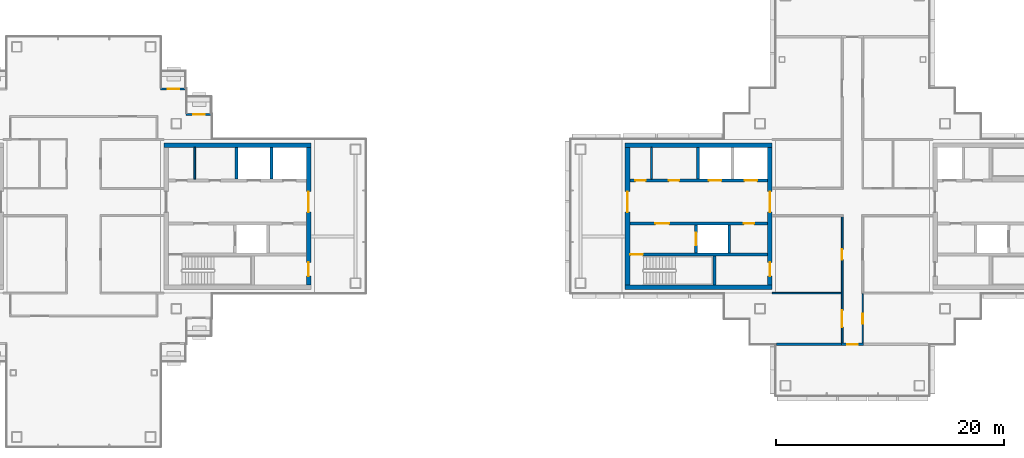
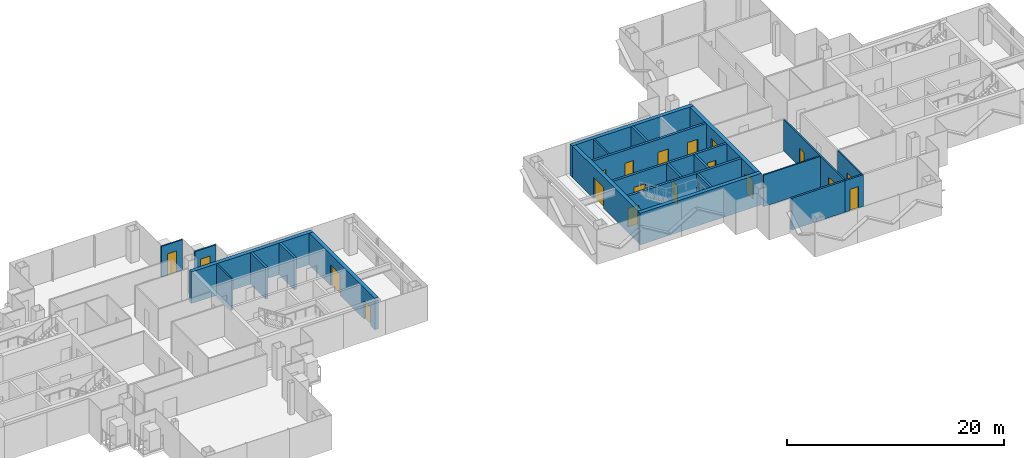
# One storey, part 11 of 17: 24 walls, 19 doors, 19 openings.
"""IFC4 building model written with IfcOpenShell, lengths in metres."""

import ifcopenshell
import ifcopenshell.guid

model = None  # the IFC model being written
_history = None  # IfcOwnerHistory: only IFC2X3 demands one
_inside = {}  # id of a spatial element -> (the spatial element, [elements in it])
_under = {}  # id of a project, library or spatial element -> (it, [spatial elements below it])
_declared = {}  # id of a project -> (the project, [libraries it declares])
_typed = {}  # id of a type object -> (the type object, [elements of that type])
_made_of = {}  # id of a material, layer set ... -> (it, [elements and type objects made of it])


def new_model(schema):
    """Start an empty IFC model of exactly this schema.

    Asked for "IFC4X3", IfcOpenShell would pick the latest addendum, in which some entities
    have other attributes; the version numbers below select the first issue.
    IFC2X3 requires an IfcOwnerHistory on every rooted entity: one is made here for all.
    """
    global model, _history
    if schema == "IFC4X3":
        model = ifcopenshell.file(schema_version=(4, 3, 0, 0))
    else:
        model = ifcopenshell.file(schema=schema)
    _inside.clear()
    _under.clear()
    _declared.clear()
    _typed.clear()
    _made_of.clear()
    _history = None
    if model.schema == "IFC2X3":
        org = make("IfcOrganization", Name="unknown")
        user = make(
            "IfcPersonAndOrganization",
            ThePerson=make("IfcPerson", FamilyName="unknown"),
            TheOrganization=org,
        )
        app = make(
            "IfcApplication",
            ApplicationDeveloper=org,
            Version="unknown",
            ApplicationFullName="unknown",
            ApplicationIdentifier="unknown",
        )
        _history = make(
            "IfcOwnerHistory",
            OwningUser=user,
            OwningApplication=app,
            ChangeAction="ADDED",
            CreationDate=0,
        )
    return model


def make(cls, **values):
    """One entity of the class cls with the attributes given. An attribute that is None is left unset."""
    return model.create_entity(
        cls, **{name: value for name, value in values.items() if value is not None}
    )


def rooted(cls, **values):
    """An entity with a GlobalId (a new one), such as an element, a storey or a relation."""
    return make(cls, GlobalId=ifcopenshell.guid.new(), OwnerHistory=_history, **values)


def si_unit(unit_type, name, prefix=None):
    """IfcSIUnit, for example si_unit("LENGTHUNIT", "METRE", prefix="MILLI")."""
    return make("IfcSIUnit", UnitType=unit_type, Prefix=prefix, Name=name)


def assignment(units):
    """IfcUnitAssignment: the units of a project."""
    return None if units is None else make("IfcUnitAssignment", Units=units)


def point(xyz):
    """IfcCartesianPoint."""
    return None if xyz is None else make("IfcCartesianPoint", Coordinates=xyz)


def direction(xyz):
    """IfcDirection."""
    return None if xyz is None else make("IfcDirection", DirectionRatios=xyz)


def frame(location, z_axis=None, x_axis=None):
    """IfcAxis2Placement3D, a coordinate frame: its origin and axes. An axis left out is left unset."""
    return make(
        "IfcAxis2Placement3D",
        Location=point(location),
        Axis=direction(z_axis),
        RefDirection=direction(x_axis),
    )


def frame_2d(location, x_axis=None):
    """IfcAxis2Placement2D, a coordinate frame in the plane: its origin and x axis."""
    return make(
        "IfcAxis2Placement2D", Location=point(location), RefDirection=direction(x_axis)
    )


def origin():
    """The frame at (0, 0, 0) with its axes left unset."""
    return frame((0.0, 0.0, 0.0))


def place(relative_to, where):
    """IfcLocalPlacement: puts the frame where relative to a parent placement (None: the world)."""
    return make(
        "IfcLocalPlacement", PlacementRelTo=relative_to, RelativePlacement=where
    )


def context(
    kind, dimensions, precision=None, world=None, true_north=None, identifier=None
):
    """IfcGeometricRepresentationContext, for example the 3D "Model" context."""
    return make(
        "IfcGeometricRepresentationContext",
        ContextIdentifier=identifier,
        ContextType=kind,
        CoordinateSpaceDimension=dimensions,
        Precision=precision,
        WorldCoordinateSystem=world,
        TrueNorth=true_north,
    )


def subcontext(parent, identifier, kind, view, scale=None):
    """IfcGeometricRepresentationSubContext, for example "Body" below "Model"."""
    return make(
        "IfcGeometricRepresentationSubContext",
        ContextIdentifier=identifier,
        ContextType=kind,
        ParentContext=parent,
        TargetScale=scale,
        TargetView=view,
    )


def project(units=None, contexts=None):
    """IfcProject with its units and contexts."""
    return rooted(
        "IfcProject",
        Name="project",
        RepresentationContexts=contexts,
        UnitsInContext=assignment(units),
    )


def spatial(cls, under=None, at=None, **own):
    """A site, building, storey or space (cls), placed at a placement, below another one or the project."""
    s = rooted(cls, ObjectPlacement=at, **own)
    if under is not None:
        _under.setdefault(under.id(), (under, []))[1].append(s)
    return s


def profile(cls, at=None, kind="AREA", **sizes):
    """A parametric profile (cls). Its sizes go by their IFC names, for example OverallWidth=200.0."""
    return make(cls, ProfileType=kind, Position=at, **sizes)


def rectangle(**sizes):
    """IfcRectangleProfileDef."""
    return profile("IfcRectangleProfileDef", **sizes)


def extrude(swept, where, along, depth):
    """IfcExtrudedAreaSolid: the profile swept, set in the frame where, extruded along a direction by depth."""
    return make(
        "IfcExtrudedAreaSolid",
        SweptArea=swept,
        Position=where,
        ExtrudedDirection=direction(along),
        Depth=depth,
    )


def shape(context_of_items, identifier, shape_type, items):
    """IfcShapeRepresentation: the items that make up one representation, for example the "Body"."""
    return make(
        "IfcShapeRepresentation",
        ContextOfItems=context_of_items,
        RepresentationIdentifier=identifier,
        RepresentationType=shape_type,
        Items=items,
    )


def material(Name=None, Category=None):
    """IfcMaterial."""
    return make("IfcMaterial", Name=Name, Category=Category)


def layer(
    of_material, thickness, ventilated=None, Name=None, Category=None, Priority=None
):
    """IfcMaterialLayer: one layer of a wall or slab, of a material (None: an air gap)."""
    return make(
        "IfcMaterialLayer",
        Material=of_material,
        LayerThickness=thickness,
        IsVentilated=ventilated,
        Name=Name,
        Category=Category,
        Priority=Priority,
    )


def layer_set(layers, Name=None):
    """IfcMaterialLayerSet."""
    return make("IfcMaterialLayerSet", MaterialLayers=layers, LayerSetName=Name)


def made_of(thing, what):
    """Note that an element or type object is made of a material, layer set ...; save() writes the relation."""
    if what is not None:
        _made_of.setdefault(what.id(), (what, []))[1].append(thing)
    return thing


def type_object(cls, material=None, **own):
    """A type object (cls), such as IfcWallType, which elements share."""
    return made_of(rooted(cls, **own), material)


def element(
    cls,
    number,
    at=None,
    inside=None,
    cuts=None,
    type_object=None,
    material=None,
    context=None,
    identifier="Body",
    shape_type=None,
    held_by="IfcProductDefinitionShape",
    body=None,
    shapes=None,
    **own,
):
    """One element of the class cls, such as IfcWall. Its Tag is "e" and its number.

    at: its placement. inside: the storey or other place that contains it. cuts: it is an
    opening in that element (IfcRelVoidsElement). A single representation is given by context,
    identifier, shape_type and body (its items); several are given by shapes. held_by: the class
    of the entity that holds the representations. save() writes the other relations.
    """
    e = rooted(cls, Tag="e%d" % number, ObjectPlacement=at, **own)
    if body is not None:
        shapes = [shape(context, identifier, shape_type, body)]
    if shapes is not None:
        e.Representation = make(held_by, Representations=shapes)
    if inside is not None:
        _inside.setdefault(inside.id(), (inside, []))[1].append(e)
    if cuts is not None:
        rooted(
            "IfcRelVoidsElement", RelatingBuildingElement=cuts, RelatedOpeningElement=e
        )
    if type_object is not None:
        _typed.setdefault(type_object.id(), (type_object, []))[1].append(e)
    return made_of(e, material)


def fill(opening, filler):
    """IfcRelFillsElement: the door or window that sits in an opening."""
    return rooted(
        "IfcRelFillsElement",
        RelatingOpeningElement=opening,
        RelatedBuildingElement=filler,
    )


def aggregate(whole, parts):
    """IfcRelAggregates: a whole, such as a stair, and the parts it consists of."""
    return rooted("IfcRelAggregates", RelatingObject=whole, RelatedObjects=parts)


def save(model, path):
    """Write the relations noted so far, then the file.

    IfcRelAggregates (storeys below a building ...), IfcRelContainedInSpatialStructure (elements
    in a storey), IfcRelDefinesByType, IfcRelAssociatesMaterial and IfcRelDeclares: one each for
    every whole, place, type object, material and project.
    """
    for whole, parts in _under.values():
        aggregate(whole, parts)
    for where, things in _inside.values():
        rooted(
            "IfcRelContainedInSpatialStructure",
            RelatedElements=things,
            RelatingStructure=where,
        )
    for kind, things in _typed.values():
        rooted("IfcRelDefinesByType", RelatedObjects=things, RelatingType=kind)
    for what, things in _made_of.values():
        rooted("IfcRelAssociatesMaterial", RelatedObjects=things, RelatingMaterial=what)
    for by, libraries in _declared.values():
        rooted("IfcRelDeclares", RelatingContext=by, RelatedDefinitions=libraries)
    model.write(path)


model = new_model("IFC4")

# Units and contexts
model_context = context("Model", 3, precision=1e-05, world=origin(), true_north=direction((0.0, 1.0)))
body_context = subcontext(model_context, "Body", "Model", "MODEL_VIEW")
ifc_project = project(units=[si_unit("LENGTHUNIT", "METRE"), si_unit("AREAUNIT", "SQUARE_METRE"), si_unit("VOLUMEUNIT", "CUBIC_METRE"), si_unit("PLANEANGLEUNIT", "RADIAN"), si_unit("MASSUNIT", "GRAM", prefix="KILO")], contexts=[model_context])

# Site, building, storey
site_placement = place(None, origin())
site = spatial("IfcSite", under=ifc_project, at=site_placement, CompositionType="ELEMENT")
building_placement = place(site_placement, origin())
building = spatial("IfcBuilding", under=site, at=building_placement, Name="Shamsa Quay Exchange Towers", CompositionType="ELEMENT")
storey_placement = place(building_placement, frame((0.0, 0.0, 253.800048828125)))
storey = spatial("IfcBuildingStorey", under=building, at=storey_placement, Name="L61", CompositionType="ELEMENT", Elevation=253.800048828125)

# Wall, opening, door
ifc_material_1 = material(Name="Double-leaf gypsum board partition with acoustic insulation")
ifc_layer_1 = layer(ifc_material_1, 0.199951171875)
ifc_layer_set_1 = layer_set([ifc_layer_1], Name="Acoustic partition 200 mm EI 60")
wall_type_1 = type_object("IfcWallType", Name="Acoustic partition 200 mm EI 60", PredefinedType="PARTITIONING", material=ifc_layer_set_1)
wall_1_placement = place(storey_placement, frame((34.712890625, -11.25, 0.0), z_axis=(0.0, 0.0, 1.0), x_axis=(-1.0, 0.0, 0.0)))
wall_1 = element("IfcWall", 1, at=wall_1_placement, inside=storey, type_object=wall_type_1, Name="Partition T2-R27-W12", PredefinedType="PARTITIONING", context=body_context, shape_type="SweptSolid", body=[
    extrude(rectangle(XDim=1.938232421875, YDim=0.199951171875, at=frame_2d((0.96923828125, 0.0))), origin(), (0.0, 0.0, 1.0), 3.550048828125),
])
opening_1_placement = place(wall_1_placement, frame((0.512939453125, 0.0, 0.0)))
opening_1 = element("IfcOpeningElement", 2, at=opening_1_placement, cuts=wall_1, Name="Opening T2-R27-D07", PredefinedType="OPENING", context=body_context, shape_type="SweptSolid", body=[
    extrude(rectangle(XDim=0.89990234375, YDim=2.39990234375, at=frame_2d((0.449951171875, 1.199951171875))), frame((0.0, 0.10986328125, 0.0), z_axis=(0.0, -1.0, 0.0), x_axis=(1.0, 0.0, 0.0)), (0.0, 0.0, 1.0), 0.219970703125),
])
ifc_material_2 = material(Name="Timber door leaf in a metal frame", Category="wood")
door_type_1 = type_object("IfcDoorType", Name="Door 900x2400 FD30S", OperationType="NOTDEFINED", PredefinedType="DOOR", material=ifc_material_2)
door_1_placement = place(opening_1_placement, origin())
door_1 = element("IfcDoor", 3, at=door_1_placement, inside=storey, type_object=door_type_1, Name="Door T2-R27-D07", OperationType="SINGLE_SWING_RIGHT", OverallHeight=2.39990234375, OverallWidth=0.89990234375, PredefinedType="DOOR", context=body_context, shape_type="SweptSolid", body=[
    extrude(rectangle(XDim=0.89990234375, YDim=2.39990234375, at=frame_2d((0.449951171875, 1.199951171875))), frame((0.0, 0.02490234375, 0.0), z_axis=(0.0, -1.0, 0.0), x_axis=(1.0, 0.0, 0.0)), (0.0, 0.0, 1.0), 0.050048828125),
])
fill(opening_1, door_1)

# Wall
wall_2_placement = place(storey_placement, frame((27.094970703125, -11.25, 0.0)))
element("IfcWall", 4, at=wall_2_placement, inside=storey, type_object=wall_type_1, Name="Partition T2-R27-W21", PredefinedType="PARTITIONING", context=body_context, shape_type="SweptSolid", body=[
    extrude(rectangle(XDim=5.82958984375, YDim=0.199951171875, at=frame_2d((2.914794921875, 0.0))), origin(), (0.0, 0.0, 1.0), 3.550048828125),
])

# Wall, opening, door
ifc_material_3 = material(Name="Aluminium EN AW-6063 T6, black anodised, with black enamelled glass infill", Category="aluminium")
ifc_layer_2 = layer(ifc_material_3, 0.14990234375)
ifc_layer_set_2 = layer_set([ifc_layer_2], Name="BALCONY DOOR BAY WALL 150")
wall_type_2 = type_object("IfcWallType", Name="BALCONY DOOR BAY WALL 150", PredefinedType="SOLIDWALL", material=ifc_layer_set_2)
wall_3_placement = place(storey_placement, frame((-24.75, 8.925048828125, 0.0)))
wall_3 = element("IfcWall", 5, at=wall_3_placement, inside=storey, type_object=wall_type_2, Name="Door bay T1-PKEN L61", PredefinedType="SOLIDWALL", context=body_context, shape_type="SweptSolid", body=[
    extrude(rectangle(XDim=2.25, YDim=0.14990234375, at=frame_2d((1.125, 0.0))), origin(), (0.0, 0.0, 1.0), 3.449951171875),
])
opening_2_placement = place(wall_3_placement, frame((0.625, 0.0, 0.0)))
opening_2 = element("IfcOpeningElement", 6, at=opening_2_placement, cuts=wall_3, Name="Opening XD409", PredefinedType="OPENING", context=body_context, shape_type="SweptSolid", body=[
    extrude(rectangle(XDim=1.0, YDim=2.39990234375, at=frame_2d((0.5, 1.199951171875))), frame((0.0, 0.0849609375, 0.0), z_axis=(0.0, -1.0, 0.0), x_axis=(1.0, 0.0, 0.0)), (0.0, 0.0, 1.0), 0.169921875),
])
ifc_material_4 = material(Name="Aluminium EN AW-6063 T6, black anodised, with laminated glass leaf", Category="aluminium")
door_type_2 = type_object("IfcDoorType", Name="BALCONY DOOR 1000x2400", OperationType="SINGLE_SWING_LEFT", PredefinedType="DOOR", material=ifc_material_4)
door_2_placement = place(opening_2_placement, origin())
door_2 = element("IfcDoor", 7, at=door_2_placement, inside=storey, type_object=door_type_2, Name="Balcony door T1-PKEN L61", OperationType="SINGLE_SWING_RIGHT", OverallHeight=2.39990234375, OverallWidth=1.0, PredefinedType="DOOR", context=body_context, shape_type="SweptSolid", body=[
    extrude(rectangle(XDim=1.0, YDim=2.39990234375, at=frame_2d((0.5, 1.199951171875))), frame((0.0, 0.02490234375, 0.0), z_axis=(0.0, -1.0, 0.0), x_axis=(1.0, 0.0, 0.0)), (0.0, 0.0, 1.0), 0.050048828125),
])
fill(opening_2, door_2)

wall_4_placement = place(storey_placement, frame((-27.0, 11.175048828125, 0.0)))
wall_4 = element("IfcWall", 8, at=wall_4_placement, inside=storey, type_object=wall_type_2, Name="Door bay T1-PKEN L61", PredefinedType="SOLIDWALL", context=body_context, shape_type="SweptSolid", body=[
    extrude(rectangle(XDim=2.25, YDim=0.14990234375, at=frame_2d((1.125, 0.0))), origin(), (0.0, 0.0, 1.0), 3.449951171875),
])
opening_3_placement = place(wall_4_placement, frame((0.625, 0.0, 0.0)))
opening_3 = element("IfcOpeningElement", 9, at=opening_3_placement, cuts=wall_4, Name="Opening XD410", PredefinedType="OPENING", context=body_context, shape_type="SweptSolid", body=[
    extrude(rectangle(XDim=1.0, YDim=2.39990234375, at=frame_2d((0.5, 1.199951171875))), frame((0.0, 0.0849609375, 0.0), z_axis=(0.0, -1.0, 0.0), x_axis=(1.0, 0.0, 0.0)), (0.0, 0.0, 1.0), 0.169921875),
])
door_3_placement = place(opening_3_placement, origin())
door_3 = element("IfcDoor", 10, at=door_3_placement, inside=storey, type_object=door_type_2, Name="Balcony door T1-PKEN L61", OperationType="SINGLE_SWING_LEFT", OverallHeight=2.39990234375, OverallWidth=1.0, PredefinedType="DOOR", context=body_context, shape_type="SweptSolid", body=[
    extrude(rectangle(XDim=1.0, YDim=2.39990234375, at=frame_2d((0.5, 1.199951171875))), frame((0.0, 0.02490234375, 0.0), z_axis=(0.0, -1.0, 0.0), x_axis=(1.0, 0.0, 0.0)), (0.0, 0.0, 1.0), 0.050048828125),
])
fill(opening_3, door_3)

# Wall
ifc_material_5 = material(Name="Concrete C60/75", Category="concrete")
ifc_layer_3 = layer(ifc_material_5, 0.39990234375)
ifc_layer_set_3 = layer_set([ifc_layer_3], Name="CORE WALL 400 C60/75")
wall_type_3 = type_object("IfcWallType", Name="CORE WALL 400 C60/75", PredefinedType="SHEAR", material=ifc_layer_set_3)
wall_5_placement = place(storey_placement, frame((-26.699951171875, 6.25, 0.0)))
element("IfcWall", 11, at=wall_5_placement, inside=storey, type_object=wall_type_3, Name="Core wall T1A-R27-PN", PredefinedType="SHEAR", context=body_context, shape_type="SweptSolid", body=[
    extrude(rectangle(XDim=12.89990234375, YDim=0.39990234375, at=frame_2d((6.449951171875, 0.0))), origin(), (0.0, 0.0, 1.0), 3.550048828125),
])

# Wall, openings, doors
wall_6_placement = place(storey_placement, frame((-14.0, 6.050048828125, 0.0), z_axis=(0.0, 0.0, 1.0), x_axis=(0.0, -1.0, 0.0)))
wall_6 = element("IfcWall", 12, at=wall_6_placement, inside=storey, type_object=wall_type_3, Name="Core wall T1A-R27-PB", PredefinedType="SHEAR", context=body_context, shape_type="SweptSolid", body=[
    extrude(rectangle(XDim=12.10009765625, YDim=0.39990234375, at=frame_2d((6.050048828125, 0.0))), origin(), (0.0, 0.0, 1.0), 3.550048828125),
])
opening_4_placement = place(wall_6_placement, frame((10.10009765625, 0.0, 0.0)))
opening_4 = element("IfcOpeningElement", 13, at=opening_4_placement, cuts=wall_6, Name="Opening T1A-R27-RD02", PredefinedType="OPENING", context=body_context, shape_type="SweptSolid", body=[
    extrude(rectangle(XDim=1.199951171875, YDim=2.10009765625, at=frame_2d((0.60009765625, 1.050048828125))), frame((0.0, 0.2099609375, 0.0), z_axis=(0.0, -1.0, 0.0), x_axis=(1.0, 0.0, 0.0)), (0.0, 0.0, 1.0), 0.419921875),
])
opening_5_placement = place(wall_6_placement, frame((3.89990234375, 0.0, 0.0)))
opening_5 = element("IfcOpeningElement", 14, at=opening_5_placement, cuts=wall_6, Name="Opening T1A-R27-LBD03", PredefinedType="OPENING", context=body_context, shape_type="SweptSolid", body=[
    extrude(rectangle(XDim=1.800048828125, YDim=2.39990234375, at=frame_2d((0.89990234375, 1.199951171875))), frame((0.0, 0.2099609375, 0.0), z_axis=(0.0, -1.0, 0.0), x_axis=(1.0, 0.0, 0.0)), (0.0, 0.0, 1.0), 0.419921875),
])
ifc_material_6 = material(Name="Steel, fire rated", Category="steel")
door_type_3 = type_object("IfcDoorType", Name="LIFT LOBBY DOOR PAIR 1800", OperationType="DOUBLE_DOOR_SINGLE_SWING", PredefinedType="DOOR", material=ifc_material_6)
door_4_placement = place(opening_5_placement, origin())
door_4 = element("IfcDoor", 15, at=door_4_placement, inside=storey, type_object=door_type_3, Name="T1A-R27-LBD03", OperationType="DOUBLE_DOOR_SINGLE_SWING", OverallHeight=2.39990234375, OverallWidth=1.800048828125, PredefinedType="DOOR", context=body_context, shape_type="SweptSolid", body=[
    extrude(rectangle(XDim=1.800048828125, YDim=2.39990234375, at=frame_2d((0.89990234375, 1.199951171875))), frame((0.0, 0.02490234375, 0.0), z_axis=(0.0, -1.0, 0.0), x_axis=(1.0, 0.0, 0.0)), (0.0, 0.0, 1.0), 0.050048828125),
])
fill(opening_5, door_4)
door_type_4 = type_object("IfcDoorType", Name="RISER ACCESS DOOR 1200", OperationType="SINGLE_SWING_LEFT", PredefinedType="DOOR", material=ifc_material_6)
door_5_placement = place(opening_4_placement, origin())
door_5 = element("IfcDoor", 16, at=door_5_placement, inside=storey, type_object=door_type_4, Name="T1A-R27-RD02", OperationType="SINGLE_SWING_RIGHT", OverallHeight=2.10009765625, OverallWidth=1.199951171875, PredefinedType="DOOR", context=body_context, shape_type="SweptSolid", body=[
    extrude(rectangle(XDim=1.199951171875, YDim=2.10009765625, at=frame_2d((0.60009765625, 1.050048828125))), frame((0.0, 0.02490234375, 0.0), z_axis=(0.0, -1.0, 0.0), x_axis=(1.0, 0.0, 0.0)), (0.0, 0.0, 1.0), 0.050048828125),
])
fill(opening_4, door_5)

# Walls
for number, where, name in (
    (17, (13.800048828125, -6.25, 0.0), "Core wall T2A-R27-PS"),
    (18, (13.800048828125, 6.25, 0.0), "Core wall T2A-R27-PN"),
):
    element("IfcWall", number, at=place(storey_placement, frame(where)), inside=storey, type_object=wall_type_3, Name=name, PredefinedType="SHEAR", context=body_context, shape_type="SweptSolid", body=[
        extrude(rectangle(XDim=12.89990234375, YDim=0.39990234375, at=frame_2d((6.449951171875, 0.0))), origin(), (0.0, 0.0, 1.0), 3.550048828125),
    ])

# Wall, opening, door
wall_7_placement = place(storey_placement, frame((14.0, 6.050048828125, 0.0), z_axis=(0.0, 0.0, 1.0), x_axis=(0.0, -1.0, 0.0)))
wall_7 = element("IfcWall", 19, at=wall_7_placement, inside=storey, type_object=wall_type_3, Name="Core wall T2A-R27-PF", PredefinedType="SHEAR", context=body_context, shape_type="SweptSolid", body=[
    extrude(rectangle(XDim=12.10009765625, YDim=0.39990234375, at=frame_2d((6.050048828125, 0.0))), origin(), (0.0, 0.0, 1.0), 3.550048828125),
])
opening_6_placement = place(wall_7_placement, frame((3.89990234375, 0.0, 0.0)))
opening_6 = element("IfcOpeningElement", 20, at=opening_6_placement, cuts=wall_7, Name="Opening T2A-R27-LBD01", PredefinedType="OPENING", context=body_context, shape_type="SweptSolid", body=[
    extrude(rectangle(XDim=1.800048828125, YDim=2.39990234375, at=frame_2d((0.89990234375, 1.199951171875))), frame((0.0, 0.2099609375, 0.0), z_axis=(0.0, -1.0, 0.0), x_axis=(1.0, 0.0, 0.0)), (0.0, 0.0, 1.0), 0.419921875),
])
door_6_placement = place(opening_6_placement, origin())
door_6 = element("IfcDoor", 21, at=door_6_placement, inside=storey, type_object=door_type_3, Name="T2A-R27-LBD01", OperationType="DOUBLE_DOOR_SINGLE_SWING", OverallHeight=2.39990234375, OverallWidth=1.800048828125, PredefinedType="DOOR", context=body_context, shape_type="SweptSolid", body=[
    extrude(rectangle(XDim=1.800048828125, YDim=2.39990234375, at=frame_2d((0.89990234375, 1.199951171875))), frame((0.0, 0.02490234375, 0.0), z_axis=(0.0, -1.0, 0.0), x_axis=(1.0, 0.0, 0.0)), (0.0, 0.0, 1.0), 0.050048828125),
])
fill(opening_6, door_6)

# Wall, openings, doors
wall_8_placement = place(storey_placement, frame((26.5, 6.050048828125, 0.0), z_axis=(0.0, 0.0, 1.0), x_axis=(0.0, -1.0, 0.0)))
wall_8 = element("IfcWall", 22, at=wall_8_placement, inside=storey, type_object=wall_type_3, Name="Core wall T2A-R27-PB", PredefinedType="SHEAR", context=body_context, shape_type="SweptSolid", body=[
    extrude(rectangle(XDim=12.10009765625, YDim=0.39990234375, at=frame_2d((6.050048828125, 0.0))), origin(), (0.0, 0.0, 1.0), 3.550048828125),
])
opening_7_placement = place(wall_8_placement, frame((10.10009765625, 0.0, 0.0)))
opening_7 = element("IfcOpeningElement", 23, at=opening_7_placement, cuts=wall_8, Name="Opening T2A-R27-RD02", PredefinedType="OPENING", context=body_context, shape_type="SweptSolid", body=[
    extrude(rectangle(XDim=1.199951171875, YDim=2.10009765625, at=frame_2d((0.60009765625, 1.050048828125))), frame((0.0, 0.2099609375, 0.0), z_axis=(0.0, -1.0, 0.0), x_axis=(1.0, 0.0, 0.0)), (0.0, 0.0, 1.0), 0.419921875),
])
opening_8_placement = place(wall_8_placement, frame((3.89990234375, 0.0, 0.0)))
opening_8 = element("IfcOpeningElement", 24, at=opening_8_placement, cuts=wall_8, Name="Opening T2A-R27-LBD03", PredefinedType="OPENING", context=body_context, shape_type="SweptSolid", body=[
    extrude(rectangle(XDim=1.800048828125, YDim=2.39990234375, at=frame_2d((0.89990234375, 1.199951171875))), frame((0.0, 0.2099609375, 0.0), z_axis=(0.0, -1.0, 0.0), x_axis=(1.0, 0.0, 0.0)), (0.0, 0.0, 1.0), 0.419921875),
])
door_7_placement = place(opening_8_placement, origin())
door_7 = element("IfcDoor", 25, at=door_7_placement, inside=storey, type_object=door_type_3, Name="T2A-R27-LBD03", OperationType="DOUBLE_DOOR_SINGLE_SWING", OverallHeight=2.39990234375, OverallWidth=1.800048828125, PredefinedType="DOOR", context=body_context, shape_type="SweptSolid", body=[
    extrude(rectangle(XDim=1.800048828125, YDim=2.39990234375, at=frame_2d((0.89990234375, 1.199951171875))), frame((0.0, 0.02490234375, 0.0), z_axis=(0.0, -1.0, 0.0), x_axis=(1.0, 0.0, 0.0)), (0.0, 0.0, 1.0), 0.050048828125),
])
fill(opening_8, door_7)
door_8_placement = place(opening_7_placement, origin())
door_8 = element("IfcDoor", 26, at=door_8_placement, inside=storey, type_object=door_type_4, Name="T2A-R27-RD02", OperationType="SINGLE_SWING_RIGHT", OverallHeight=2.10009765625, OverallWidth=1.199951171875, PredefinedType="DOOR", context=body_context, shape_type="SweptSolid", body=[
    extrude(rectangle(XDim=1.199951171875, YDim=2.10009765625, at=frame_2d((0.60009765625, 1.050048828125))), frame((0.0, 0.02490234375, 0.0), z_axis=(0.0, -1.0, 0.0), x_axis=(1.0, 0.0, 0.0)), (0.0, 0.0, 1.0), 0.050048828125),
])
fill(opening_7, door_8)

# Walls
ifc_material_7 = material(Name="Gypsum board on steel studs, EI 60", Category="steel")
ifc_layer_4 = layer(ifc_material_7, 0.14990234375)
ifc_layer_set_4 = layer_set([ifc_layer_4], Name="FIRE PARTITION 150")
wall_type_4 = type_object("IfcWallType", Name="FIRE PARTITION 150", PredefinedType="PARTITIONING", material=ifc_layer_set_4)
for number, where, z_axis, x_axis, name in (
    (27, (-24.0, 3.25, 0.0), (0.0, 0.0, 1.0), (0.0, 1.0, 0.0), "Partition T1A-R27-FC0"),
    (28, (16.10009765625, 3.25, 0.0), (0.0, 0.0, 1.0), (0.0, 1.0, 0.0), "Partition T2A-R27-FC0"),
):
    element("IfcWall", number, at=place(storey_placement, frame(where, z_axis=z_axis, x_axis=x_axis)), inside=storey, type_object=wall_type_4, Name=name, PredefinedType="PARTITIONING", context=body_context, shape_type="SweptSolid", body=[
        extrude(rectangle(XDim=2.800048828125, YDim=0.14990234375, at=frame_2d((1.39990234375, 0.0))), origin(), (0.0, 0.0, 1.0), 3.550048828125),
    ])

# Wall, opening, door
ifc_material_8 = material(Name="Laminated fire-resisting glass in a metal frame", Category="glass")
ifc_layer_5 = layer(ifc_material_8, 0.125)
ifc_layer_set_5 = layer_set([ifc_layer_5], Name="Glazed partition 125 mm EI 60")
wall_type_5 = type_object("IfcWallType", Name="Glazed partition 125 mm EI 60", PredefinedType="PARTITIONING", material=ifc_layer_set_5)
wall_9_placement = place(storey_placement, frame((34.650390625, -6.824951171875, 0.0), z_axis=(0.0, 0.0, 1.0), x_axis=(0.0, -1.0, 0.0)))
wall_9 = element("IfcWall", 29, at=wall_9_placement, inside=storey, type_object=wall_type_5, Name="Partition T2-R27-W11", PredefinedType="PARTITIONING", context=body_context, shape_type="SweptSolid", body=[
    extrude(rectangle(XDim=4.324951171875, YDim=0.125, at=frame_2d((2.16259765625, 0.0))), origin(), (0.0, 0.0, 1.0), 3.550048828125),
])
opening_9_placement = place(wall_9_placement, frame((1.72509765625, 0.0, 0.0)))
opening_9 = element("IfcOpeningElement", 30, at=opening_9_placement, cuts=wall_9, Name="Opening T2-R27-D03", PredefinedType="OPENING", context=body_context, shape_type="SweptSolid", body=[
    extrude(rectangle(XDim=0.89990234375, YDim=2.10009765625, at=frame_2d((0.449951171875, 1.050048828125))), frame((0.0, 0.072509765625, 0.0), z_axis=(0.0, -1.0, 0.0), x_axis=(1.0, 0.0, 0.0)), (0.0, 0.0, 1.0), 0.14501953125),
])
door_type_5 = type_object("IfcDoorType", Name="Door 900x2100 FD30S", OperationType="NOTDEFINED", PredefinedType="DOOR", material=ifc_material_2)
door_9_placement = place(opening_9_placement, origin())
door_9 = element("IfcDoor", 31, at=door_9_placement, inside=storey, type_object=door_type_5, Name="Door T2-R27-D03", OperationType="SINGLE_SWING_LEFT", OverallHeight=2.10009765625, OverallWidth=0.89990234375, PredefinedType="DOOR", context=body_context, shape_type="SweptSolid", body=[
    extrude(rectangle(XDim=0.89990234375, YDim=2.10009765625, at=frame_2d((0.449951171875, 1.050048828125))), frame((0.0, 0.02490234375, 0.0), z_axis=(0.0, -1.0, 0.0), x_axis=(1.0, 0.0, 0.0)), (0.0, 0.0, 1.0), 0.050048828125),
])
fill(opening_9, door_9)

# Wall, openings, doors
ifc_material_9 = material(Name="Gypsum board partition on metal studs")
ifc_layer_6 = layer(ifc_material_9, 0.14990234375)
ifc_layer_set_6 = layer_set([ifc_layer_6], Name="Partition 150 mm EI 60")
wall_type_6 = type_object("IfcWallType", Name="Partition 150 mm EI 60", PredefinedType="PARTITIONING", material=ifc_layer_set_6)
wall_10_placement = place(storey_placement, frame((32.849609375, -11.14990234375, 0.0), z_axis=(0.0, 0.0, 1.0), x_axis=(0.0, 1.0, 0.0)))
wall_10 = element("IfcWall", 32, at=wall_10_placement, inside=storey, type_object=wall_type_6, Name="Partition T2-R27-W02", PredefinedType="PARTITIONING", context=body_context, shape_type="SweptSolid", body=[
    extrude(rectangle(XDim=11.124755859375, YDim=0.14990234375, at=frame_2d((5.5625, 0.0))), origin(), (0.0, 0.0, 1.0), 3.550048828125),
])
opening_10_placement = place(wall_10_placement, frame((7.349853515625, 0.0, 0.0)))
opening_10 = element("IfcOpeningElement", 33, at=opening_10_placement, cuts=wall_10, Name="Opening T2-R27-D08", PredefinedType="OPENING", context=body_context, shape_type="SweptSolid", body=[
    extrude(rectangle(XDim=0.89990234375, YDim=2.10009765625, at=frame_2d((0.449951171875, 1.050048828125))), frame((0.0, 0.0849609375, 0.0), z_axis=(0.0, -1.0, 0.0), x_axis=(1.0, 0.0, 0.0)), (0.0, 0.0, 1.0), 0.169921875),
])
opening_11_placement = place(wall_10_placement, frame((1.39990234375, 0.0, 0.0)))
opening_11 = element("IfcOpeningElement", 34, at=opening_11_placement, cuts=wall_10, Name="Opening T2-R27-D09", PredefinedType="OPENING", context=body_context, shape_type="SweptSolid", body=[
    extrude(rectangle(XDim=1.5, YDim=2.10009765625, at=frame_2d((0.75, 1.050048828125))), frame((0.0, 0.0849609375, 0.0), z_axis=(0.0, -1.0, 0.0), x_axis=(1.0, 0.0, 0.0)), (0.0, 0.0, 1.0), 0.169921875),
])
door_type_6 = type_object("IfcDoorType", Name="Door 1500x2100 FD30S pair", OperationType="NOTDEFINED", PredefinedType="DOOR", material=ifc_material_2)
door_10_placement = place(opening_11_placement, origin())
door_10 = element("IfcDoor", 35, at=door_10_placement, inside=storey, type_object=door_type_6, Name="Door T2-R27-D09", OperationType="DOUBLE_DOOR_SINGLE_SWING", OverallHeight=2.10009765625, OverallWidth=1.5, PredefinedType="DOOR", context=body_context, shape_type="SweptSolid", body=[
    extrude(rectangle(XDim=1.5, YDim=2.10009765625, at=frame_2d((0.75, 1.050048828125))), frame((0.0, 0.02490234375, 0.0), z_axis=(0.0, -1.0, 0.0), x_axis=(1.0, 0.0, 0.0)), (0.0, 0.0, 1.0), 0.050048828125),
])
fill(opening_11, door_10)
door_11_placement = place(opening_10_placement, origin())
door_11 = element("IfcDoor", 36, at=door_11_placement, inside=storey, type_object=door_type_5, Name="Door T2-R27-D08", OperationType="SINGLE_SWING_RIGHT", OverallHeight=2.10009765625, OverallWidth=0.89990234375, PredefinedType="DOOR", context=body_context, shape_type="SweptSolid", body=[
    extrude(rectangle(XDim=0.89990234375, YDim=2.10009765625, at=frame_2d((0.449951171875, 1.050048828125))), frame((0.0, 0.02490234375, 0.0), z_axis=(0.0, -1.0, 0.0), x_axis=(1.0, 0.0, 0.0)), (0.0, 0.0, 1.0), 0.050048828125),
])
fill(opening_10, door_11)

# Walls
wall_11_placement = place(storey_placement, frame((26.699951171875, -6.75, 0.0)))
element("IfcWall", 37, at=wall_11_placement, inside=storey, type_object=wall_type_6, Name="Partition T2-R27-W16", PredefinedType="PARTITIONING", context=body_context, shape_type="SweptSolid", body=[
    extrude(rectangle(XDim=6.07470703125, YDim=0.14990234375, at=frame_2d((3.037353515625, 0.0))), origin(), (0.0, 0.0, 1.0), 3.550048828125),
])
ifc_material_10 = material(Name="Concrete C50/60", Category="concrete")
ifc_layer_7 = layer(ifc_material_10, 0.25)
ifc_layer_set_7 = layer_set([ifc_layer_7], Name="SHAFT WALL 250 C50/60")
wall_type_7 = type_object("IfcWallType", Name="SHAFT WALL 250 C50/60", PredefinedType="SHEAR", material=ifc_layer_set_7)
for number, where, z_axis, x_axis, name in (
    (38, (-20.324951171875, 3.25, 0.0), (0.0, 0.0, 1.0), (0.0, 1.0, 0.0), "Shaft wall T1A-R27-D1"),
    (39, (-17.27490234375, 3.25, 0.0), (0.0, 0.0, 1.0), (0.0, 1.0, 0.0), "Shaft wall T1A-R27-D2"),
):
    element("IfcWall", number, at=place(storey_placement, frame(where, z_axis=z_axis, x_axis=x_axis)), inside=storey, type_object=wall_type_7, Name=name, PredefinedType="SHEAR", context=body_context, shape_type="SweptSolid", body=[
        extrude(rectangle(XDim=2.800048828125, YDim=0.25, at=frame_2d((1.39990234375, 0.0))), origin(), (0.0, 0.0, 1.0), 3.550048828125),
    ])

# Wall, opening, door
wall_12_placement = place(storey_placement, frame((26.300048828125, -3.375, 0.0), z_axis=(0.0, 0.0, 1.0), x_axis=(-1.0, 0.0, 0.0)))
wall_12 = element("IfcWall", 40, at=wall_12_placement, inside=storey, type_object=wall_type_7, Name="Shaft wall T2A-R27-STL", PredefinedType="SHEAR", context=body_context, shape_type="SweptSolid", body=[
    extrude(rectangle(XDim=12.10009765625, YDim=0.25, at=frame_2d((6.050048828125, 0.0))), origin(), (0.0, 0.0, 1.0), 3.550048828125),
])
opening_12_placement = place(wall_12_placement, frame((10.949951171875, 0.0, 0.0)))
opening_12 = element("IfcOpeningElement", 41, at=opening_12_placement, cuts=wall_12, Name="Opening T2A-R27-SD04", PredefinedType="OPENING", context=body_context, shape_type="SweptSolid", body=[
    extrude(rectangle(XDim=1.10009765625, YDim=2.10009765625, at=frame_2d((0.550048828125, 1.050048828125))), frame((0.0, 0.135009765625, 0.0), z_axis=(0.0, -1.0, 0.0), x_axis=(1.0, 0.0, 0.0)), (0.0, 0.0, 1.0), 0.27001953125),
])
door_type_7 = type_object("IfcDoorType", Name="STAIR DOOR 1100", OperationType="SINGLE_SWING_LEFT", PredefinedType="DOOR", material=ifc_material_6)
door_12_placement = place(opening_12_placement, origin())
door_12 = element("IfcDoor", 42, at=door_12_placement, inside=storey, type_object=door_type_7, Name="T2A-R27-SD04", OperationType="SINGLE_SWING_RIGHT", OverallHeight=2.10009765625, OverallWidth=1.10009765625, PredefinedType="DOOR", context=body_context, shape_type="SweptSolid", body=[
    extrude(rectangle(XDim=1.10009765625, YDim=2.10009765625, at=frame_2d((0.550048828125, 1.050048828125))), frame((0.0, 0.02490234375, 0.0), z_axis=(0.0, -1.0, 0.0), x_axis=(1.0, 0.0, 0.0)), (0.0, 0.0, 1.0), 0.050048828125),
])
fill(opening_12, door_12)

# Wall
wall_13_placement = place(storey_placement, frame((21.625, -6.050048828125, 0.0), z_axis=(0.0, 0.0, 1.0), x_axis=(0.0, 1.0, 0.0)))
element("IfcWall", 43, at=wall_13_placement, inside=storey, type_object=wall_type_7, Name="Shaft wall T2A-R27-STF", PredefinedType="SHEAR", context=body_context, shape_type="SweptSolid", body=[
    extrude(rectangle(XDim=2.550048828125, YDim=0.25, at=frame_2d((1.27490234375, 0.0))), origin(), (0.0, 0.0, 1.0), 3.550048828125),
])

# Wall, openings, doors
wall_14_placement = place(storey_placement, frame((26.300048828125, -0.625, 0.0), z_axis=(0.0, 0.0, 1.0), x_axis=(-1.0, 0.0, 0.0)))
wall_14 = element("IfcWall", 44, at=wall_14_placement, inside=storey, type_object=wall_type_7, Name="Shaft wall T2A-R27-B", PredefinedType="SHEAR", context=body_context, shape_type="SweptSolid", body=[
    extrude(rectangle(XDim=12.10009765625, YDim=0.25, at=frame_2d((6.050048828125, 0.0))), origin(), (0.0, 0.0, 1.0), 3.550048828125),
])
opening_13_placement = place(wall_14_placement, frame((8.64990234375, 0.0, 0.0)))
opening_13 = element("IfcOpeningElement", 45, at=opening_13_placement, cuts=wall_14, Name="Opening T2A-R27-FD05", PredefinedType="OPENING", context=body_context, shape_type="SweptSolid", body=[
    extrude(rectangle(XDim=1.199951171875, YDim=2.10009765625, at=frame_2d((0.60009765625, 1.050048828125))), frame((0.0, 0.135009765625, 0.0), z_axis=(0.0, -1.0, 0.0), x_axis=(1.0, 0.0, 0.0)), (0.0, 0.0, 1.0), 0.27001953125),
])
opening_14_placement = place(wall_14_placement, frame((1.175048828125, 0.0, 0.0)))
opening_14 = element("IfcOpeningElement", 46, at=opening_14_placement, cuts=wall_14, Name="Opening T2A-R27-SV06", PredefinedType="OPENING", context=body_context, shape_type="SweptSolid", body=[
    extrude(rectangle(XDim=0.89990234375, YDim=2.10009765625, at=frame_2d((0.449951171875, 1.050048828125))), frame((0.0, 0.135009765625, 0.0), z_axis=(0.0, -1.0, 0.0), x_axis=(1.0, 0.0, 0.0)), (0.0, 0.0, 1.0), 0.27001953125),
])
door_type_8 = type_object("IfcDoorType", Name="FIRE SERVICE LOBBY DOOR 1200", OperationType="SINGLE_SWING_LEFT", PredefinedType="DOOR", material=ifc_material_6)
door_13_placement = place(opening_13_placement, origin())
door_13 = element("IfcDoor", 47, at=door_13_placement, inside=storey, type_object=door_type_8, Name="T2A-R27-FD05", OperationType="SINGLE_SWING_RIGHT", OverallHeight=2.10009765625, OverallWidth=1.199951171875, PredefinedType="DOOR", context=body_context, shape_type="SweptSolid", body=[
    extrude(rectangle(XDim=1.199951171875, YDim=2.10009765625, at=frame_2d((0.60009765625, 1.050048828125))), frame((0.0, 0.02490234375, 0.0), z_axis=(0.0, -1.0, 0.0), x_axis=(1.0, 0.0, 0.0)), (0.0, 0.0, 1.0), 0.050048828125),
])
fill(opening_13, door_13)
door_type_9 = type_object("IfcDoorType", Name="SERVICE ROOM DOOR 900", OperationType="SINGLE_SWING_LEFT", PredefinedType="DOOR", material=ifc_material_6)
door_14_placement = place(opening_14_placement, origin())
door_14 = element("IfcDoor", 48, at=door_14_placement, inside=storey, type_object=door_type_9, Name="T2A-R27-SV06", OperationType="SINGLE_SWING_LEFT", OverallHeight=2.10009765625, OverallWidth=0.89990234375, PredefinedType="DOOR", context=body_context, shape_type="SweptSolid", body=[
    extrude(rectangle(XDim=0.89990234375, YDim=2.10009765625, at=frame_2d((0.449951171875, 1.050048828125))), frame((0.0, 0.02490234375, 0.0), z_axis=(0.0, -1.0, 0.0), x_axis=(1.0, 0.0, 0.0)), (0.0, 0.0, 1.0), 0.050048828125),
])
fill(opening_14, door_14)

# Wall, opening, door
wall_15_placement = place(storey_placement, frame((20.02490234375, -3.25, 0.0), z_axis=(0.0, 0.0, 1.0), x_axis=(0.0, 1.0, 0.0)))
wall_15 = element("IfcWall", 49, at=wall_15_placement, inside=storey, type_object=wall_type_7, Name="Shaft wall T2A-R27-FFF", PredefinedType="SHEAR", context=body_context, shape_type="SweptSolid", body=[
    extrude(rectangle(XDim=2.5, YDim=0.25, at=frame_2d((1.25, 0.0))), origin(), (0.0, 0.0, 1.0), 3.550048828125),
])
opening_15_placement = place(wall_15_placement, frame((0.699951171875, 0.0, 0.0)))
opening_15 = element("IfcOpeningElement", 50, at=opening_15_placement, cuts=wall_15, Name="Opening T2A-R27-LDF07", PredefinedType="OPENING", context=body_context, shape_type="SweptSolid", body=[
    extrude(rectangle(XDim=1.10009765625, YDim=2.10009765625, at=frame_2d((0.550048828125, 1.050048828125))), frame((0.0, 0.135009765625, 0.0), z_axis=(0.0, -1.0, 0.0), x_axis=(1.0, 0.0, 0.0)), (0.0, 0.0, 1.0), 0.27001953125),
])
door_type_10 = type_object("IfcDoorType", Name="FIRE SERVICE LANDING DOOR 1100", OperationType="SLIDING_TO_LEFT", PredefinedType="DOOR", material=ifc_material_6)
door_15_placement = place(opening_15_placement, origin())
door_15 = element("IfcDoor", 51, at=door_15_placement, inside=storey, type_object=door_type_10, Name="T2A-R27-LDF07", OperationType="SLIDING_TO_LEFT", OverallHeight=2.10009765625, OverallWidth=1.10009765625, PredefinedType="DOOR", context=body_context, shape_type="SweptSolid", body=[
    extrude(rectangle(XDim=1.10009765625, YDim=2.10009765625, at=frame_2d((0.550048828125, 1.050048828125))), frame((0.0, 0.02490234375, 0.0), z_axis=(0.0, -1.0, 0.0), x_axis=(1.0, 0.0, 0.0)), (0.0, 0.0, 1.0), 0.050048828125),
])
fill(opening_15, door_15)

# Wall
wall_16_placement = place(storey_placement, frame((22.925048828125, -3.25, 0.0), z_axis=(0.0, 0.0, 1.0), x_axis=(0.0, 1.0, 0.0)))
element("IfcWall", 52, at=wall_16_placement, inside=storey, type_object=wall_type_7, Name="Shaft wall T2A-R27-FFB", PredefinedType="SHEAR", context=body_context, shape_type="SweptSolid", body=[
    extrude(rectangle(XDim=2.5, YDim=0.25, at=frame_2d((1.25, 0.0))), origin(), (0.0, 0.0, 1.0), 3.550048828125),
])

# Wall, openings, doors
wall_17_placement = place(storey_placement, frame((14.199951171875, 3.125, 0.0)))
wall_17 = element("IfcWall", 53, at=wall_17_placement, inside=storey, type_object=wall_type_7, Name="Shaft wall T2A-R27-N", PredefinedType="SHEAR", context=body_context, shape_type="SweptSolid", body=[
    extrude(rectangle(XDim=12.10009765625, YDim=0.25, at=frame_2d((6.050048828125, 0.0))), origin(), (0.0, 0.0, 1.0), 3.550048828125),
])
opening_16_placement = place(wall_17_placement, frame((6.949951171875, 0.0, 0.0)))
opening_16 = element("IfcOpeningElement", 54, at=opening_16_placement, cuts=wall_17, Name="Opening T2A-R27-LD08", PredefinedType="OPENING", context=body_context, shape_type="SweptSolid", body=[
    extrude(rectangle(XDim=1.10009765625, YDim=2.10009765625, at=frame_2d((0.550048828125, 1.050048828125))), frame((0.0, 0.135009765625, 0.0), z_axis=(0.0, -1.0, 0.0), x_axis=(1.0, 0.0, 0.0)), (0.0, 0.0, 1.0), 0.27001953125),
])
opening_17_placement = place(wall_17_placement, frame((10.074951171875, 0.0, 0.0)))
opening_17 = element("IfcOpeningElement", 55, at=opening_17_placement, cuts=wall_17, Name="Opening T2A-R27-LD09", PredefinedType="OPENING", context=body_context, shape_type="SweptSolid", body=[
    extrude(rectangle(XDim=1.10009765625, YDim=2.10009765625, at=frame_2d((0.550048828125, 1.050048828125))), frame((0.0, 0.135009765625, 0.0), z_axis=(0.0, -1.0, 0.0), x_axis=(1.0, 0.0, 0.0)), (0.0, 0.0, 1.0), 0.27001953125),
])
opening_18_placement = place(wall_17_placement, frame((0.5, 0.0, 0.0)))
opening_18 = element("IfcOpeningElement", 56, at=opening_18_placement, cuts=wall_17, Name="Opening T2A-R27-SV10", PredefinedType="OPENING", context=body_context, shape_type="SweptSolid", body=[
    extrude(rectangle(XDim=0.89990234375, YDim=2.10009765625, at=frame_2d((0.449951171875, 1.050048828125))), frame((0.0, 0.135009765625, 0.0), z_axis=(0.0, -1.0, 0.0), x_axis=(1.0, 0.0, 0.0)), (0.0, 0.0, 1.0), 0.27001953125),
])
opening_19_placement = place(wall_17_placement, frame((3.425048828125, 0.0, 0.0)))
opening_19 = element("IfcOpeningElement", 57, at=opening_19_placement, cuts=wall_17, Name="Opening T2A-R27-SV11", PredefinedType="OPENING", context=body_context, shape_type="SweptSolid", body=[
    extrude(rectangle(XDim=0.89990234375, YDim=2.10009765625, at=frame_2d((0.449951171875, 1.050048828125))), frame((0.0, 0.135009765625, 0.0), z_axis=(0.0, -1.0, 0.0), x_axis=(1.0, 0.0, 0.0)), (0.0, 0.0, 1.0), 0.27001953125),
])
door_type_11 = type_object("IfcDoorType", Name="LANDING DOOR 1100", OperationType="SLIDING_TO_LEFT", PredefinedType="DOOR", material=ifc_material_6)
door_16_placement = place(opening_16_placement, origin())
door_16 = element("IfcDoor", 58, at=door_16_placement, inside=storey, type_object=door_type_11, Name="T2A-R27-LD08", OperationType="SLIDING_TO_LEFT", OverallHeight=2.10009765625, OverallWidth=1.10009765625, PredefinedType="DOOR", context=body_context, shape_type="SweptSolid", body=[
    extrude(rectangle(XDim=1.10009765625, YDim=2.10009765625, at=frame_2d((0.550048828125, 1.050048828125))), frame((0.0, 0.02490234375, 0.0), z_axis=(0.0, -1.0, 0.0), x_axis=(1.0, 0.0, 0.0)), (0.0, 0.0, 1.0), 0.050048828125),
])
fill(opening_16, door_16)
door_17_placement = place(opening_17_placement, origin())
door_17 = element("IfcDoor", 59, at=door_17_placement, inside=storey, type_object=door_type_11, Name="T2A-R27-LD09", OperationType="SLIDING_TO_LEFT", OverallHeight=2.10009765625, OverallWidth=1.10009765625, PredefinedType="DOOR", context=body_context, shape_type="SweptSolid", body=[
    extrude(rectangle(XDim=1.10009765625, YDim=2.10009765625, at=frame_2d((0.550048828125, 1.050048828125))), frame((0.0, 0.02490234375, 0.0), z_axis=(0.0, -1.0, 0.0), x_axis=(1.0, 0.0, 0.0)), (0.0, 0.0, 1.0), 0.050048828125),
])
fill(opening_17, door_17)
door_18_placement = place(opening_18_placement, origin())
door_18 = element("IfcDoor", 60, at=door_18_placement, inside=storey, type_object=door_type_9, Name="T2A-R27-SV10", OperationType="SINGLE_SWING_LEFT", OverallHeight=2.10009765625, OverallWidth=0.89990234375, PredefinedType="DOOR", context=body_context, shape_type="SweptSolid", body=[
    extrude(rectangle(XDim=0.89990234375, YDim=2.10009765625, at=frame_2d((0.449951171875, 1.050048828125))), frame((0.0, 0.02490234375, 0.0), z_axis=(0.0, -1.0, 0.0), x_axis=(1.0, 0.0, 0.0)), (0.0, 0.0, 1.0), 0.050048828125),
])
fill(opening_18, door_18)
door_19_placement = place(opening_19_placement, origin())
door_19 = element("IfcDoor", 61, at=door_19_placement, inside=storey, type_object=door_type_9, Name="T2A-R27-SV11", OperationType="SINGLE_SWING_LEFT", OverallHeight=2.10009765625, OverallWidth=0.89990234375, PredefinedType="DOOR", context=body_context, shape_type="SweptSolid", body=[
    extrude(rectangle(XDim=0.89990234375, YDim=2.10009765625, at=frame_2d((0.449951171875, 1.050048828125))), frame((0.0, 0.02490234375, 0.0), z_axis=(0.0, -1.0, 0.0), x_axis=(1.0, 0.0, 0.0)), (0.0, 0.0, 1.0), 0.050048828125),
])
fill(opening_19, door_19)

# Wall
wall_18_placement = place(storey_placement, frame((20.175048828125, 3.25, 0.0), z_axis=(0.0, 0.0, 1.0), x_axis=(0.0, 1.0, 0.0)))
element("IfcWall", 62, at=wall_18_placement, inside=storey, type_object=wall_type_7, Name="Shaft wall T2A-R27-D1", PredefinedType="SHEAR", context=body_context, shape_type="SweptSolid", body=[
    extrude(rectangle(XDim=2.800048828125, YDim=0.25, at=frame_2d((1.39990234375, 0.0))), origin(), (0.0, 0.0, 1.0), 3.550048828125),
])

save(model, "model.ifc")
